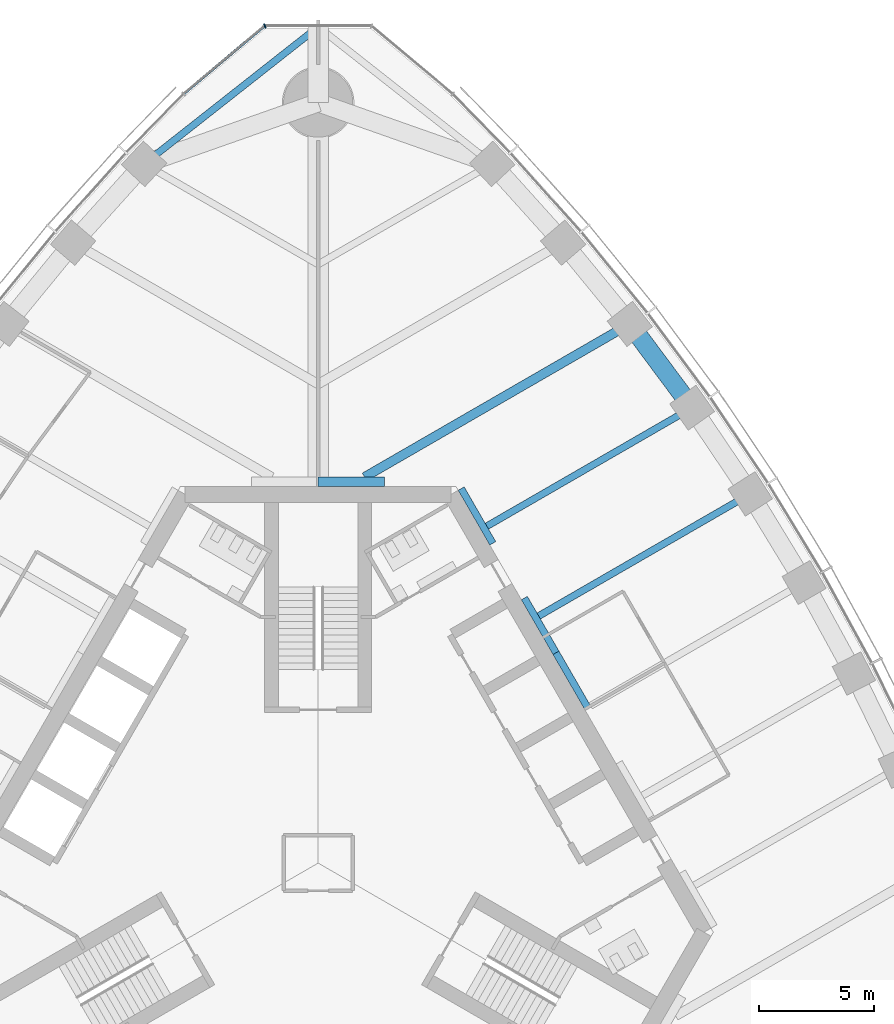
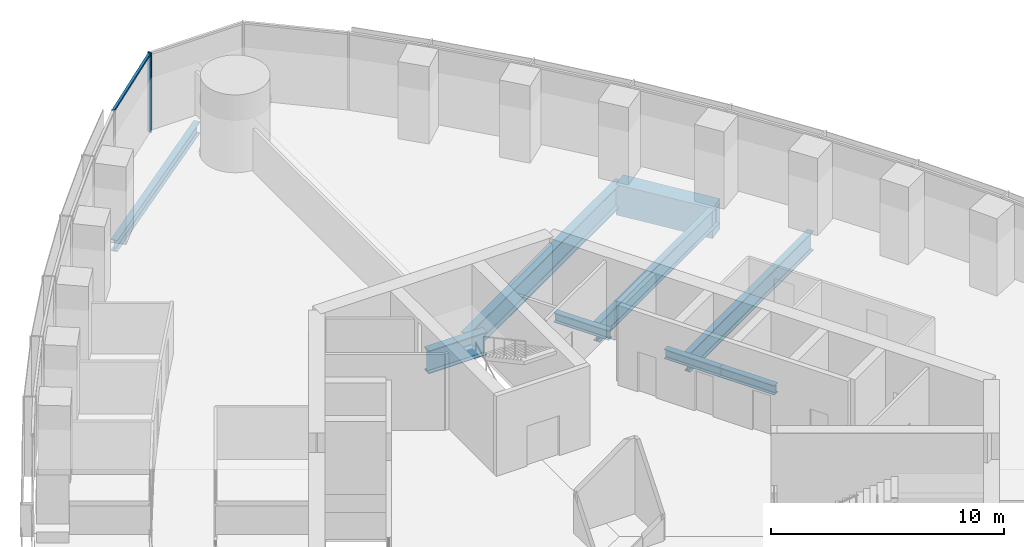
# One storey, part 6 of 19: 9 beams, 2 members, 1 element without a shape of its own.
"""IFC4 building model written with IfcOpenShell, lengths in metres."""

from ifc_helpers import new_model, si_unit, direction, frame, origin, origin_2d, place, context, subcontext, project, spatial, rectangle, i_section, extrude, material, material_profile, profile_set, type_object, element, aggregate, save


model = new_model("IFC4")

# Units and contexts
model_context = context("Model", 3, precision=1e-05, world=origin(), true_north=direction((0.0, 1.0)))
body_context = subcontext(model_context, "Body", "Model", "MODEL_VIEW")
ifc_project = project(units=[si_unit("LENGTHUNIT", "METRE"), si_unit("AREAUNIT", "SQUARE_METRE"), si_unit("VOLUMEUNIT", "CUBIC_METRE"), si_unit("PLANEANGLEUNIT", "RADIAN"), si_unit("MASSUNIT", "GRAM", prefix="KILO")], contexts=[model_context])

# Site, building, storey
site_placement = place(None, origin())
site = spatial("IfcSite", under=ifc_project, at=site_placement, CompositionType="ELEMENT")
building_placement = place(site_placement, origin())
building = spatial("IfcBuilding", under=site, at=building_placement, Name="Trefoil Bronze Tower", CompositionType="ELEMENT")
storey_placement = place(building_placement, frame((0.0, 0.0, 244.300048828125)))
storey = spatial("IfcBuildingStorey", under=building, at=storey_placement, Name="L56", CompositionType="ELEMENT", Elevation=244.300048828125)

# Curtain wall, members
ifc_material_1 = material(Name="Tinted solar-control glass", Category="glass")
curtain_wall_type = type_object("IfcCurtainWallType", Name="Bronze rounded corner curtain wall", PredefinedType="USERDEFINED", material=ifc_material_1)
curtain_wall_placement = place(storey_placement, origin())
curtain_wall = element("IfcCurtainWall", 1, at=curtain_wall_placement, inside=storey, type_object=curtain_wall_type, Name="CW-B L56 K2", ObjectType="CURTAIN WALL", PredefinedType="USERDEFINED")
ifc_material_2 = material(Name="Bronze-finish aluminium", Category="aluminium")
ifc_material_profile_1 = material_profile(ifc_material_2, rectangle(XDim=0.199951171875, YDim=0.06005859375, at=origin_2d()), Name="CW-B mullion")
ifc_profile_set_1 = profile_set([ifc_material_profile_1], Name="Bronze-finish aluminium")
member_type_1 = type_object("IfcMemberType", Name="Bronze rounded corner curtain wall mullion", PredefinedType="MULLION", material=ifc_profile_set_1)
member_1_placement = place(storey_placement, frame((-2.314453125, 36.326416015625, 0.0), z_axis=(0.0, 0.0, 1.0), x_axis=(0.342020143326, -0.939692620786, 0.0)))
member_1 = element("IfcMember", 2, at=member_1_placement, type_object=member_type_1, Name="CW-B L56 K2 mullion 3", PredefinedType="MULLION", context=body_context, shape_type="SweptSolid", body=[
    extrude(rectangle(XDim=0.199951171875, YDim=0.06005859375, at=origin_2d()), origin(), (0.0, 0.0, 1.0), 4.179931640625),
])
ifc_material_3 = material(Name="Bronze-finish aluminium", Category="aluminium")
ifc_material_profile_2 = material_profile(ifc_material_3, rectangle(XDim=0.1201171875, YDim=0.10009765625, at=origin_2d()), Name="CW-B transom")
ifc_profile_set_2 = profile_set([ifc_material_profile_2], Name="Bronze-finish aluminium")
member_type_2 = type_object("IfcMemberType", Name="Bronze rounded corner curtain wall transom", PredefinedType="USERDEFINED", material=ifc_profile_set_2)
member_2_placement = place(storey_placement, frame((-2.367431640625, 36.289794921875, 4.1298828125), z_axis=(-0.766046761698, -0.642784846501, 0.0), x_axis=(0.642784846501, -0.766046761698, 0.0)))
member_2 = element("IfcMember", 3, at=member_2_placement, type_object=member_type_2, Name="CW-B L56 K2 transom 3", ObjectType="TRANSOM", PredefinedType="USERDEFINED", context=body_context, shape_type="SweptSolid", body=[
    extrude(rectangle(XDim=0.1201171875, YDim=0.10009765625, at=origin_2d()), origin(), (0.0, 0.0, 1.0), 4.5),
])
aggregate(curtain_wall, [member_1, member_2])

# Beams
ifc_material_4 = material(Name="Steel C355", Category="steel")
ifc_material_profile_3 = material_profile(ifc_material_4, i_section(OverallWidth=0.300048828125, OverallDepth=0.5, WebThickness=0.014404296875, FlangeThickness=0.028076171875, FilletRadius=0.027099609375, at=origin_2d()), Name="HEB 500")
ifc_profile_set_3 = profile_set([ifc_material_profile_3], Name="Steel C355")
beam_type_1 = type_object("IfcBeamType", Name="Core seat beam HEB 500", PredefinedType="BEAM", material=ifc_profile_set_3)
for number, where, z_axis, x_axis, name in (
    (4, (11.69140625, 6.75, -0.449951171875), (-0.500035825175, 0.866004719122, 0.0), (-0.866004719122, -0.500035825175, 0.0), "Core seat beam F2/+0 L56"),
    (5, (10.320068359375, 9.125, -0.449951171875), (-0.499969057507, 0.866043267704, 0.0), (-0.866043267704, -0.499969057507, 0.0), "Core seat beam F2/+1 L56"),
    (6, (7.57763671875, 13.875, -0.449951171875), (-0.499969057507, 0.866043267704, 0.0), (-0.866043267704, -0.499969057507, 0.0), "Core seat beam F2/+2 L56"),
):
    element("IfcBeam", number, at=place(storey_placement, frame(where, z_axis=z_axis, x_axis=x_axis)), inside=storey, type_object=beam_type_1, Name=name, PredefinedType="BEAM", context=body_context, shape_type="SweptSolid", body=[
        extrude(i_section(OverallWidth=0.300048828125, OverallDepth=0.5, WebThickness=0.014404296875, FlangeThickness=0.028076171875, FilletRadius=0.027099609375, at=origin_2d()), origin(), (0.0, 0.0, 1.0), 2.742431640625),
    ])
ifc_material_5 = material(Name="Steel C355", Category="steel")
ifc_material_profile_4 = material_profile(ifc_material_5, i_section(OverallWidth=0.39990234375, OverallDepth=1.199951171875, WebThickness=0.02001953125, FlangeThickness=0.0400390625, FilletRadius=0.010009765625, at=origin_2d()), Name="WPG 1200")
ifc_profile_set_4 = profile_set([ifc_material_profile_4], Name="Steel C355")
beam_type_2 = type_object("IfcBeamType", Name="Core seat beam WPG 1200", PredefinedType="BEAM", material=ifc_profile_set_4)
beam_1_placement = place(storey_placement, frame((2.88671875, 16.550048828125, -0.800048828125), z_axis=(-1.0, 0.0, 0.0), x_axis=(0.0, -1.0, 0.0)))
element("IfcBeam", 7, at=beam_1_placement, inside=storey, type_object=beam_type_2, Name="Core seat beam F2/+3 L56", PredefinedType="BEAM", context=body_context, shape_type="SweptSolid", body=[
    extrude(i_section(OverallWidth=0.39990234375, OverallDepth=1.199951171875, WebThickness=0.02001953125, FlangeThickness=0.0400390625, FilletRadius=0.010009765625, at=origin_2d()), origin(), (0.0, 0.0, 1.0), 2.88671875),
])
ifc_material_6 = material(Name="Steel C355", Category="steel")
ifc_material_profile_5 = material_profile(ifc_material_6, i_section(OverallWidth=0.300048828125, OverallDepth=0.60009765625, WebThickness=0.015380859375, FlangeThickness=0.030029296875, FilletRadius=0.027099609375, at=origin_2d()), Name="HEB 600")
ifc_profile_set_5 = profile_set([ifc_material_profile_5], Name="Steel C355")
beam_type_3 = type_object("IfcBeamType", Name="Corner edge beam HEB 600", PredefinedType="BEAM", material=ifc_profile_set_5)
beam_2_placement = place(storey_placement, frame((-7.552001953125, 30.3408203125, -0.5), z_axis=(0.785805912008, 0.618473175371, 0.0), x_axis=(-0.618473175371, 0.785805912008, 0.0)))
element("IfcBeam", 8, at=beam_2_placement, inside=storey, type_object=beam_type_3, Name="Corner edge beam F3B L56", PredefinedType="BEAM", context=body_context, shape_type="SweptSolid", body=[
    extrude(i_section(OverallWidth=0.300048828125, OverallDepth=0.60009765625, WebThickness=0.015380859375, FlangeThickness=0.030029296875, FilletRadius=0.027099609375, at=origin_2d()), origin(), (0.0, 0.0, 1.0), 9.610595703125),
])
ifc_material_7 = material(Name="Steel C355", Category="steel")
ifc_material_profile_6 = material_profile(ifc_material_7, i_section(OverallWidth=0.300048828125, OverallDepth=1.0, WebThickness=0.01904296875, FlangeThickness=0.035888671875, FilletRadius=0.030029296875, at=origin_2d()), Name="HEB 1000")
ifc_profile_set_6 = profile_set([ifc_material_profile_6], Name="Steel C355")
beam_type_4 = type_object("IfcBeamType", Name="Floor beam HEB 1000", PredefinedType="BEAM", material=ifc_profile_set_6)
beam_3_placement = place(storey_placement, frame((16.2265625, 19.7607421875, -0.699951171875), z_axis=(-0.866019527493, -0.500010177898, 0.0), x_axis=(0.500010177898, -0.866019527493, 0.0)))
element("IfcBeam", 9, at=beam_3_placement, inside=storey, type_object=beam_type_4, Name="Floor beam F2/+2 L56", PredefinedType="BEAM", context=body_context, shape_type="SweptSolid", body=[
    extrude(i_section(OverallWidth=0.300048828125, OverallDepth=1.0, WebThickness=0.01904296875, FlangeThickness=0.035888671875, FilletRadius=0.030029296875, at=origin_2d()), origin(), (0.0, 0.0, 1.0), 10.282958984375),
])
ifc_material_8 = material(Name="Steel C355", Category="steel")
ifc_material_profile_7 = material_profile(ifc_material_8, i_section(OverallWidth=0.302001953125, OverallDepth=1.008056640625, WebThickness=0.02099609375, FlangeThickness=0.0400390625, FilletRadius=0.030029296875, at=origin_2d()), Name="HEM 1000")
ifc_profile_set_7 = profile_set([ifc_material_profile_7], Name="Steel C355")
beam_type_5 = type_object("IfcBeamType", Name="Floor beam HEM 1000", PredefinedType="BEAM", material=ifc_profile_set_7)
beam_4_placement = place(storey_placement, frame((18.748046875, 16.020263671875, -0.7041015625), z_axis=(-0.86602981261, -0.499992363612, 0.0), x_axis=(0.499992363612, -0.86602981261, 0.0)))
element("IfcBeam", 10, at=beam_4_placement, inside=storey, type_object=beam_type_5, Name="Floor beam F2/+1 L56", PredefinedType="BEAM", context=body_context, shape_type="SweptSolid", body=[
    extrude(i_section(OverallWidth=0.302001953125, OverallDepth=1.008056640625, WebThickness=0.02099609375, FlangeThickness=0.0400390625, FilletRadius=0.030029296875, at=origin_2d()), origin(), (0.0, 0.0, 1.0), 10.596435546875),
])
ifc_material_9 = material(Name="Steel C355", Category="steel")
ifc_material_profile_8 = material_profile(ifc_material_9, i_section(OverallWidth=0.39990234375, OverallDepth=1.199951171875, WebThickness=0.02001953125, FlangeThickness=0.0400390625, FilletRadius=0.010009765625, at=origin_2d()), Name="WPG 1200")
ifc_profile_set_8 = profile_set([ifc_material_profile_8], Name="Steel C355")
beam_type_6 = type_object("IfcBeamType", Name="Floor beam WPG 1200", PredefinedType="BEAM", material=ifc_profile_set_8)
beam_5_placement = place(storey_placement, frame((13.522216796875, 23.3955078125, -0.800048828125), z_axis=(-0.866023461342, -0.500003364394, 0.0), x_axis=(0.500003364394, -0.866023461342, 0.0)))
element("IfcBeam", 11, at=beam_5_placement, inside=storey, type_object=beam_type_6, Name="Floor beam F2/+3 L56", PredefinedType="BEAM", context=body_context, shape_type="SweptSolid", body=[
    extrude(i_section(OverallWidth=0.39990234375, OverallDepth=1.199951171875, WebThickness=0.02001953125, FlangeThickness=0.0400390625, FilletRadius=0.010009765625, at=origin_2d()), origin(), (0.0, 0.0, 1.0), 13.291015625),
])
ifc_material_10 = material(Name="Concrete B80", Category="concrete")
ifc_material_profile_9 = material_profile(ifc_material_10, rectangle(XDim=0.800048828125, YDim=1.60009765625, at=origin_2d()), Name="RC 800x1600")
ifc_profile_set_9 = profile_set([ifc_material_profile_9], Name="Concrete B80")
beam_type_7 = type_object("IfcBeamType", Name="Spandrel beam RC 800x1600", PredefinedType="SPANDREL", material=ifc_profile_set_9)
beam_6_placement = place(storey_placement, frame((16.2265625, 19.7607421875, -1.0), z_axis=(-0.596926078257, 0.802296240236, 0.0), x_axis=(-0.802296240236, -0.596926078257, 0.0)))
element("IfcBeam", 12, at=beam_6_placement, inside=storey, type_object=beam_type_7, Name="Spandrel F2.9 L56", PredefinedType="SPANDREL", context=body_context, shape_type="SweptSolid", body=[
    extrude(rectangle(XDim=0.800048828125, YDim=1.60009765625, at=origin_2d()), origin(), (0.0, 0.0, 1.0), 4.530517578125),
])

save(model, "model.ifc")
